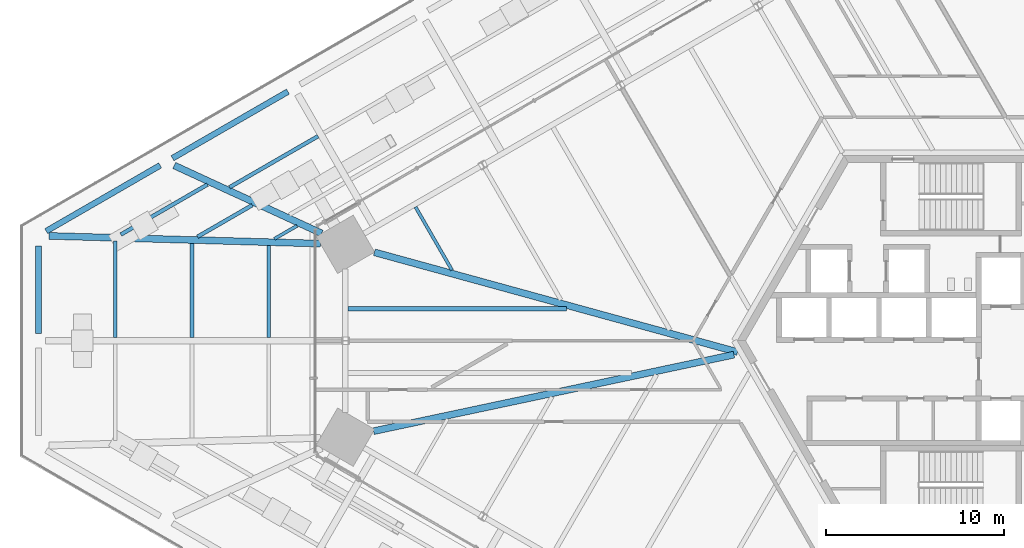
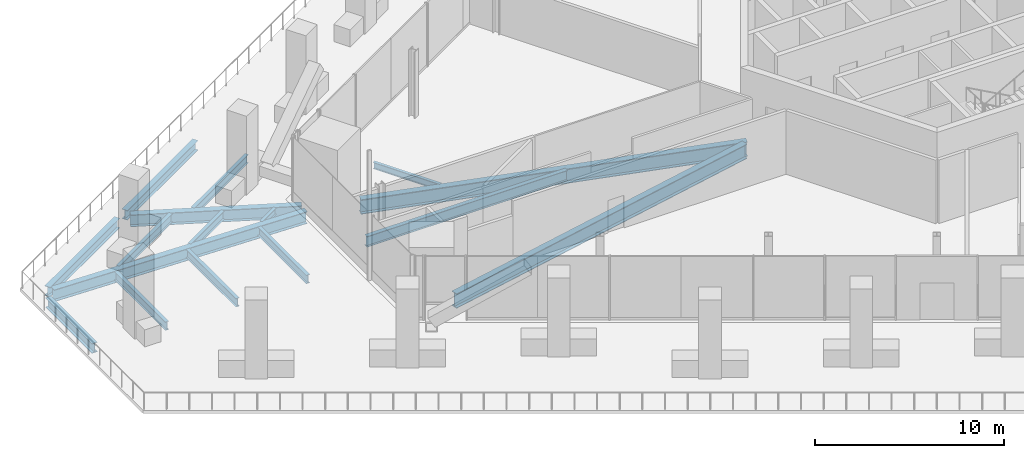
# One storey, part 6 of 38: 16 beams.
"""IFC4 building model written with IfcOpenShell, lengths in metres."""

from ifc_helpers import new_model, si_unit, direction, frame, origin, origin_2d, place, context, subcontext, project, spatial, i_section, extrude, source, transform, mapped, material, material_profile, profile_set, type_object, element, save


model = new_model("IFC4")

# Units and contexts
model_context = context("Model", 3, precision=1e-05, world=origin(), true_north=direction((0.0, 1.0)))
body_context = subcontext(model_context, "Body", "Model", "MODEL_VIEW")
ifc_project = project(units=[si_unit("LENGTHUNIT", "METRE"), si_unit("AREAUNIT", "SQUARE_METRE"), si_unit("VOLUMEUNIT", "CUBIC_METRE"), si_unit("PLANEANGLEUNIT", "RADIAN"), si_unit("MASSUNIT", "GRAM", prefix="KILO")], contexts=[model_context])

# Site, building, storey
site_placement = place(None, origin())
site = spatial("IfcSite", under=ifc_project, at=site_placement, CompositionType="ELEMENT")
building_placement = place(site_placement, origin())
building = spatial("IfcBuilding", under=site, at=building_placement, Name="Triune Harvest Tower", CompositionType="ELEMENT")
storey_placement = place(building_placement, frame((0.0, 0.0, 16.0)))
storey = spatial("IfcBuildingStorey", under=building, at=storey_placement, Name="L03", CompositionType="ELEMENT", Elevation=16.0)

# Beams
ifc_material_1 = material(Name="Steel ASTM A992 Gr 50", Category="steel")
ifc_material_profile_1 = material_profile(ifc_material_1, i_section(OverallWidth=0.383544921875, OverallDepth=0.9423828125, WebThickness=0.022216796875, FlangeThickness=0.039794921875, at=origin_2d()), Name="W36x232")
ifc_profile_set_1 = profile_set([ifc_material_profile_1], Name="Steel ASTM A992 Gr 50")
beam_type_1 = type_object("IfcBeamType", Name="HG-1 Hip girder W36x232", PredefinedType="BEAM", material=ifc_profile_set_1)
shared_shape_1 = source(origin(), body_context, "Body", "SweptSolid", [
    extrude(i_section(OverallWidth=0.383544921875, OverallDepth=0.9423828125, WebThickness=0.022216796875, FlangeThickness=0.039794921875, at=origin_2d()), origin(), (0.0, 0.0, 1.0), 20.676025390625),
])
beam_1_placement = place(storey_placement, frame((-32.4091796875, -5.07470703125, -0.671142578125), z_axis=(0.978185071399, 0.207735327022, 0.0), x_axis=(-0.207735327022, 0.978185071399, 0.0)))
element("IfcBeam", 1, at=beam_1_placement, inside=storey, type_object=beam_type_1, Name="beam/L03/HG5", PredefinedType="BEAM", context=body_context, shape_type="MappedRepresentation", body=[
    mapped(shared_shape_1, transform((0.0, 0.0, 0.0), scale=1.0)),
])
shared_shape_2 = source(origin(), body_context, "Body", "SweptSolid", [
    extrude(i_section(OverallWidth=0.383544921875, OverallDepth=0.9423828125, WebThickness=0.022216796875, FlangeThickness=0.039794921875, at=origin_2d()), origin(), (0.0, 0.0, 1.0), 21.13232421875),
])
beam_2_placement = place(storey_placement, frame((-32.3623046875, 4.963134765625, -0.671142578125), z_axis=(0.964269976316, -0.264921521918, 0.0), x_axis=(0.264921521918, 0.964269976316, 0.0)))
element("IfcBeam", 2, at=beam_2_placement, inside=storey, type_object=beam_type_1, Name="beam/L03/HG4", PredefinedType="BEAM", context=body_context, shape_type="MappedRepresentation", body=[
    mapped(shared_shape_2, transform((0.0, 0.0, 0.0), scale=1.0)),
])
ifc_material_2 = material(Name="Steel ASTM A992 Gr 50", Category="steel")
ifc_material_profile_2 = material_profile(ifc_material_2, i_section(OverallWidth=0.32763671875, OverallDepth=0.62744140625, WebThickness=0.0166015625, FlangeThickness=0.027587890625, at=origin_2d()), Name="W24x146")
ifc_profile_set_2 = profile_set([ifc_material_profile_2], Name="Steel ASTM A992 Gr 50")
beam_type_2 = type_object("IfcBeamType", Name="PD-4 Podium edge beam W24x146", PredefinedType="BEAM", material=ifc_profile_set_2)
shared_shape_3 = source(origin(), body_context, "Body", "SweptSolid", [
    extrude(i_section(OverallWidth=0.32763671875, OverallDepth=0.62744140625, WebThickness=0.0166015625, FlangeThickness=0.027587890625, at=origin_2d()), origin(), (0.0, 0.0, 1.0), 7.47998046875),
])
beam_3_placement = place(storey_placement, frame((-37.216064453125, 13.97998046875, -0.513671875), z_axis=(-0.866023067432, -0.500004046659, 0.0), x_axis=(0.500004046659, -0.866023067432, 0.0)))
element("IfcBeam", 3, at=beam_3_placement, inside=storey, type_object=beam_type_2, Name="beam/L03/PE22", PredefinedType="BEAM", context=body_context, shape_type="MappedRepresentation", body=[
    mapped(shared_shape_3, transform((0.0, 0.0, 0.0), scale=1.0)),
])
shared_shape_4 = source(origin(), body_context, "Body", "SweptSolid", [
    extrude(i_section(OverallWidth=0.32763671875, OverallDepth=0.62744140625, WebThickness=0.0166015625, FlangeThickness=0.027587890625, at=origin_2d()), origin(), (0.0, 0.0, 1.0), 4.922607421875),
])
beam_4_placement = place(storey_placement, frame((-51.2109375, 5.322509765625, -0.513671875), z_axis=(0.0, -1.0, 0.0), x_axis=(1.0, 0.0, 0.0)))
element("IfcBeam", 4, at=beam_4_placement, inside=storey, type_object=beam_type_2, Name="beam/L03/PE24", PredefinedType="BEAM", context=body_context, shape_type="MappedRepresentation", body=[
    mapped(shared_shape_4, transform((0.0, 0.0, 0.0), scale=1.0)),
])
shared_shape_5 = source(origin(), body_context, "Body", "SweptSolid", [
    extrude(i_section(OverallWidth=0.32763671875, OverallDepth=0.62744140625, WebThickness=0.0166015625, FlangeThickness=0.027587890625, at=origin_2d()), origin(), (0.0, 0.0, 1.0), 7.380126953125),
])
beam_5_placement = place(storey_placement, frame((-44.38671875, 9.840087890625, -0.513671875), z_axis=(-0.866017563931, -0.500013578778, 0.0), x_axis=(0.500013578778, -0.866017563931, 0.0)))
element("IfcBeam", 5, at=beam_5_placement, inside=storey, type_object=beam_type_2, Name="beam/L03/PE23", PredefinedType="BEAM", context=body_context, shape_type="MappedRepresentation", body=[
    mapped(shared_shape_5, transform((0.0, 0.0, 0.0), scale=1.0)),
])
ifc_material_3 = material(Name="Steel ASTM A992 Gr 50", Category="steel")
ifc_material_profile_3 = material_profile(ifc_material_3, i_section(OverallWidth=0.381103515625, OverallDepth=0.772216796875, WebThickness=0.0166015625, FlangeThickness=0.027099609375, at=origin_2d()), Name="W30x173")
ifc_profile_set_3 = profile_set([ifc_material_profile_3], Name="Steel ASTM A992 Gr 50")
beam_type_3 = type_object("IfcBeamType", Name="PD-3 Podium girder W30x173", PredefinedType="BEAM", material=ifc_profile_set_3)
shared_shape_6 = source(origin(), body_context, "Body", "SweptSolid", [
    extrude(i_section(OverallWidth=0.381103515625, OverallDepth=0.772216796875, WebThickness=0.0166015625, FlangeThickness=0.027099609375, at=origin_2d()), origin(), (0.0, 0.0, 1.0), 15.232666015625),
])
beam_6_placement = place(storey_placement, frame((-50.6240234375, 5.88330078125, -0.586181640625), z_axis=(0.999595712635, -0.028432574304, 0.0), x_axis=(0.028432574304, 0.999595712635, 0.0)))
element("IfcBeam", 6, at=beam_6_placement, inside=storey, type_object=beam_type_3, Name="beam/L03/PR26", PredefinedType="BEAM", context=body_context, shape_type="MappedRepresentation", body=[
    mapped(shared_shape_6, transform((0.0, 0.0, 0.0), scale=1.0)),
])
shared_shape_7 = source(origin(), body_context, "Body", "SweptSolid", [
    extrude(i_section(OverallWidth=0.381103515625, OverallDepth=0.772216796875, WebThickness=0.0166015625, FlangeThickness=0.027099609375, at=origin_2d()), origin(), (0.0, 0.0, 1.0), 9.10693359375),
])
beam_7_placement = place(storey_placement, frame((-43.59521484375, 9.8349609375, -0.586181640625), z_axis=(0.908279245406, -0.418364449213, 0.0), x_axis=(0.418364449213, 0.908279245406, 0.0)))
element("IfcBeam", 7, at=beam_7_placement, inside=storey, type_object=beam_type_3, Name="beam/L03/PR25", PredefinedType="BEAM", context=body_context, shape_type="MappedRepresentation", body=[
    mapped(shared_shape_7, transform((0.0, 0.0, 0.0), scale=1.0)),
])
ifc_material_4 = material(Name="Steel ASTM A992 Gr 50", Category="steel")
ifc_material_profile_4 = material_profile(ifc_material_4, i_section(OverallWidth=0.2138671875, OverallDepth=0.548583984375, WebThickness=0.0146484375, FlangeThickness=0.023681640625, at=origin_2d()), Name="W21x93")
ifc_profile_set_4 = profile_set([ifc_material_profile_4], Name="Steel ASTM A992 Gr 50")
beam_type_4 = type_object("IfcBeamType", Name="PD-5 Podium joist W21x93", PredefinedType="JOIST", material=ifc_profile_set_4)
shared_shape_8 = source(origin(), body_context, "Body", "SweptSolid", [
    extrude(i_section(OverallWidth=0.2138671875, OverallDepth=0.548583984375, WebThickness=0.0146484375, FlangeThickness=0.023681640625, at=origin_2d()), origin(), (0.0, 0.0, 1.0), 5.613525390625),
])
beam_8_placement = place(storey_placement, frame((-41.7294921875, 8.765869140625, -0.474365234375), z_axis=(-0.866010310244, -0.500026141868, 0.0), x_axis=(0.500026141868, -0.866010310244, 0.0)))
element("IfcBeam", 8, at=beam_8_placement, inside=storey, type_object=beam_type_4, Name="beam/L03/PJ47", PredefinedType="JOIST", context=body_context, shape_type="MappedRepresentation", body=[
    mapped(shared_shape_8, transform((0.0, 0.0, 0.0), scale=1.0)),
])
shared_shape_9 = source(origin(), body_context, "Body", "SweptSolid", [
    extrude(i_section(OverallWidth=0.2138671875, OverallDepth=0.548583984375, WebThickness=0.0146484375, FlangeThickness=0.023681640625, at=origin_2d()), origin(), (0.0, 0.0, 1.0), 5.27392578125),
])
beam_9_placement = place(storey_placement, frame((-42.599853515625, 5.46435546875, -0.474365234375), z_axis=(0.0, -1.0, 0.0), x_axis=(1.0, 0.0, 0.0)))
element("IfcBeam", 9, at=beam_9_placement, inside=storey, type_object=beam_type_4, Name="beam/L03/PJ51", PredefinedType="JOIST", context=body_context, shape_type="MappedRepresentation", body=[
    mapped(shared_shape_9, transform((0.0, 0.0, 0.0), scale=1.0)),
])
shared_shape_10 = source(origin(), body_context, "Body", "SweptSolid", [
    extrude(i_section(OverallWidth=0.2138671875, OverallDepth=0.548583984375, WebThickness=0.0146484375, FlangeThickness=0.023681640625, at=origin_2d()), origin(), (0.0, 0.0, 1.0), 5.1513671875),
])
beam_10_placement = place(storey_placement, frame((-38.294189453125, 5.341796875, -0.474365234375), z_axis=(0.0, -1.0, 0.0), x_axis=(1.0, 0.0, 0.0)))
element("IfcBeam", 10, at=beam_10_placement, inside=storey, type_object=beam_type_4, Name="beam/L03/PJ52", PredefinedType="JOIST", context=body_context, shape_type="MappedRepresentation", body=[
    mapped(shared_shape_10, transform((0.0, 0.0, 0.0), scale=1.0)),
])
shared_shape_11 = source(origin(), body_context, "Body", "SweptSolid", [
    extrude(i_section(OverallWidth=0.2138671875, OverallDepth=0.548583984375, WebThickness=0.0146484375, FlangeThickness=0.023681640625, at=origin_2d()), origin(), (0.0, 0.0, 1.0), 3.54345703125),
])
beam_11_placement = place(storey_placement, frame((-39.216552734375, 7.6083984375, -0.474365234375), z_axis=(-0.866016916595, -0.500014699955, 0.0), x_axis=(0.500014699955, -0.866016916595, 0.0)))
element("IfcBeam", 11, at=beam_11_placement, inside=storey, type_object=beam_type_4, Name="beam/L03/PJ48", PredefinedType="JOIST", context=body_context, shape_type="MappedRepresentation", body=[
    mapped(shared_shape_11, transform((0.0, 0.0, 0.0), scale=1.0)),
])
shared_shape_12 = source(origin(), body_context, "Body", "SweptSolid", [
    extrude(i_section(OverallWidth=0.2138671875, OverallDepth=0.548583984375, WebThickness=0.0146484375, FlangeThickness=0.023681640625, at=origin_2d()), origin(), (0.0, 0.0, 1.0), 5.726318359375),
])
beam_12_placement = place(storey_placement, frame((-35.528564453125, 11.476318359375, -0.474365234375), z_axis=(-0.866038622153, -0.499977104415, 0.0), x_axis=(0.499977104415, -0.866038622153, 0.0)))
element("IfcBeam", 12, at=beam_12_placement, inside=storey, type_object=beam_type_4, Name="beam/L03/PJ45", PredefinedType="JOIST", context=body_context, shape_type="MappedRepresentation", body=[
    mapped(shared_shape_12, transform((0.0, 0.0, 0.0), scale=1.0)),
])
ifc_material_5 = material(Name="Steel ASTM A992 Gr 50", Category="steel")
ifc_material_profile_5 = material_profile(ifc_material_5, i_section(OverallWidth=0.180908203125, OverallDepth=0.41650390625, WebThickness=0.010986328125, FlangeThickness=0.01806640625, at=origin_2d()), Name="W16x57")
ifc_profile_set_5 = profile_set([ifc_material_profile_5], Name="Steel ASTM A992 Gr 50")
beam_type_5 = type_object("IfcBeamType", Name="PD-6 Podium short joist W16x57", PredefinedType="JOIST", material=ifc_profile_set_5)
shared_shape_13 = source(origin(), body_context, "Body", "SweptSolid", [
    extrude(i_section(OverallWidth=0.180908203125, OverallDepth=0.41650390625, WebThickness=0.010986328125, FlangeThickness=0.01806640625, at=origin_2d()), origin(), (0.0, 0.0, 1.0), 1.47314453125),
])
beam_13_placement = place(storey_placement, frame((-36.70361328125, 6.45068359375, -0.408203125), z_axis=(-0.86604208752, -0.499971101808, 0.0), x_axis=(0.499971101808, -0.86604208752, 0.0)))
element("IfcBeam", 13, at=beam_13_placement, inside=storey, type_object=beam_type_5, Name="beam/L03/PJ49", PredefinedType="JOIST", context=body_context, shape_type="MappedRepresentation", body=[
    mapped(shared_shape_13, transform((0.0, 0.0, 0.0), scale=1.0)),
])
shared_shape_14 = source(origin(), body_context, "Body", "SweptSolid", [
    extrude(i_section(OverallWidth=0.2138671875, OverallDepth=0.548583984375, WebThickness=0.0146484375, FlangeThickness=0.023681640625, at=origin_2d()), origin(), (0.0, 0.0, 1.0), 5.396484375),
])
beam_14_placement = place(storey_placement, frame((-46.905517578125, 5.5869140625, -0.474365234375), z_axis=(0.0, -1.0, 0.0), x_axis=(1.0, 0.0, 0.0)))
element("IfcBeam", 14, at=beam_14_placement, inside=storey, type_object=beam_type_4, Name="beam/L03/PJ50", PredefinedType="JOIST", context=body_context, shape_type="MappedRepresentation", body=[
    mapped(shared_shape_14, transform((0.0, 0.0, 0.0), scale=1.0)),
])
ifc_material_6 = material(Name="Steel ASTM A992 Gr 50", Category="steel")
ifc_material_profile_6 = material_profile(ifc_material_6, i_section(OverallWidth=0.180908203125, OverallDepth=0.41650390625, WebThickness=0.010986328125, FlangeThickness=0.01806640625, at=origin_2d()), Name="W16x57")
ifc_profile_set_6 = profile_set([ifc_material_profile_6], Name="Steel ASTM A992 Gr 50")
beam_type_6 = type_object("IfcBeamType", Name="JT-1 Floor joist W16x57", PredefinedType="JOIST", material=ifc_profile_set_6)
shared_shape_15 = source(origin(), body_context, "Body", "SweptSolid", [
    extrude(i_section(OverallWidth=0.180908203125, OverallDepth=0.41650390625, WebThickness=0.010986328125, FlangeThickness=0.01806640625, at=origin_2d()), origin(), (0.0, 0.0, 1.0), 4.08642578125),
])
beam_15_placement = place(storey_placement, frame((-30.05419921875, 7.505615234375, -0.408203125), z_axis=(0.49998792433, -0.866032375563, 0.0), x_axis=(0.866032375563, 0.49998792433, 0.0)))
element("IfcBeam", 15, at=beam_15_placement, inside=storey, type_object=beam_type_6, Name="beam/L03/JT24", PredefinedType="JOIST", context=body_context, shape_type="MappedRepresentation", body=[
    mapped(shared_shape_15, transform((0.0, 0.0, 0.0), scale=1.0)),
])
ifc_material_7 = material(Name="Steel ASTM A992 Gr 50", Category="steel")
ifc_material_profile_7 = material_profile(ifc_material_7, i_section(OverallWidth=0.253662109375, OverallDepth=0.683349609375, WebThickness=0.012451171875, FlangeThickness=0.01904296875, at=origin_2d()), Name="W27x94")
ifc_profile_set_7 = profile_set([ifc_material_profile_7], Name="Steel ASTM A992 Gr 50")
beam_type_7 = type_object("IfcBeamType", Name="JT-4 Floor joist W27x94", PredefinedType="JOIST", material=ifc_profile_set_7)
shared_shape_16 = source(origin(), body_context, "Body", "SweptSolid", [
    extrude(i_section(OverallWidth=0.253662109375, OverallDepth=0.683349609375, WebThickness=0.012451171875, FlangeThickness=0.01904296875, at=origin_2d()), origin(), (0.0, 0.0, 1.0), 12.2509765625),
])
beam_16_placement = place(storey_placement, frame((-33.836181640625, 1.80322265625, -0.54150390625), z_axis=(1.0, 0.0, 0.0), x_axis=(0.0, 1.0, 0.0)))
element("IfcBeam", 16, at=beam_16_placement, inside=storey, type_object=beam_type_7, Name="beam/L03/JT25", PredefinedType="JOIST", context=body_context, shape_type="MappedRepresentation", body=[
    mapped(shared_shape_16, transform((0.0, 0.0, 0.0), scale=1.0)),
])

save(model, "model.ifc")
